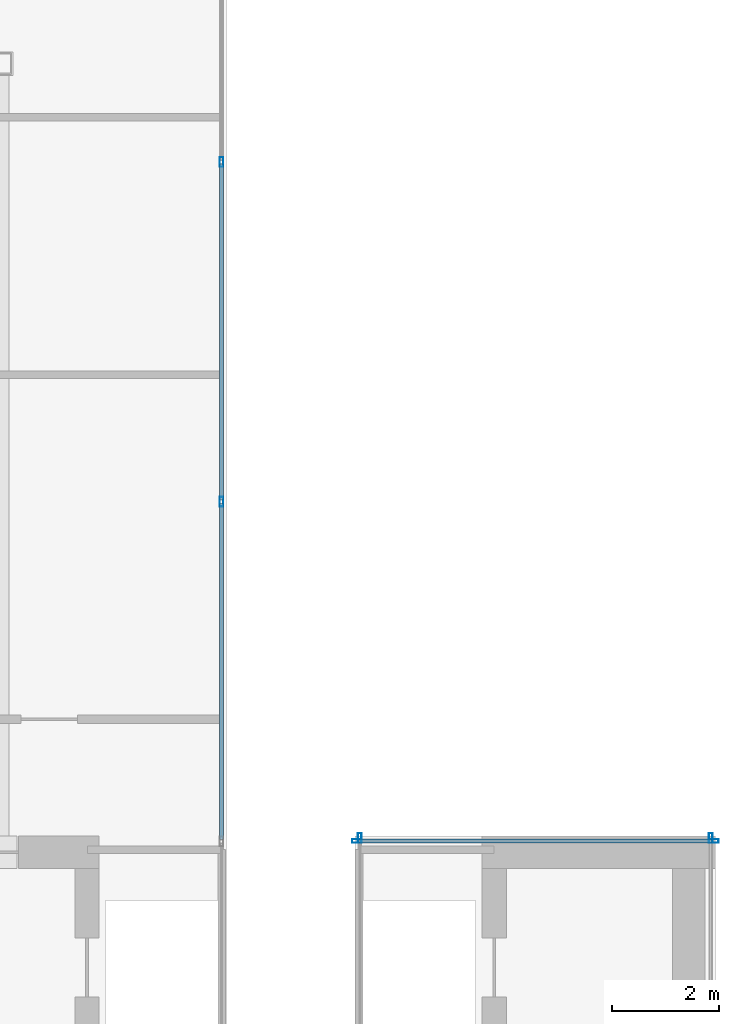
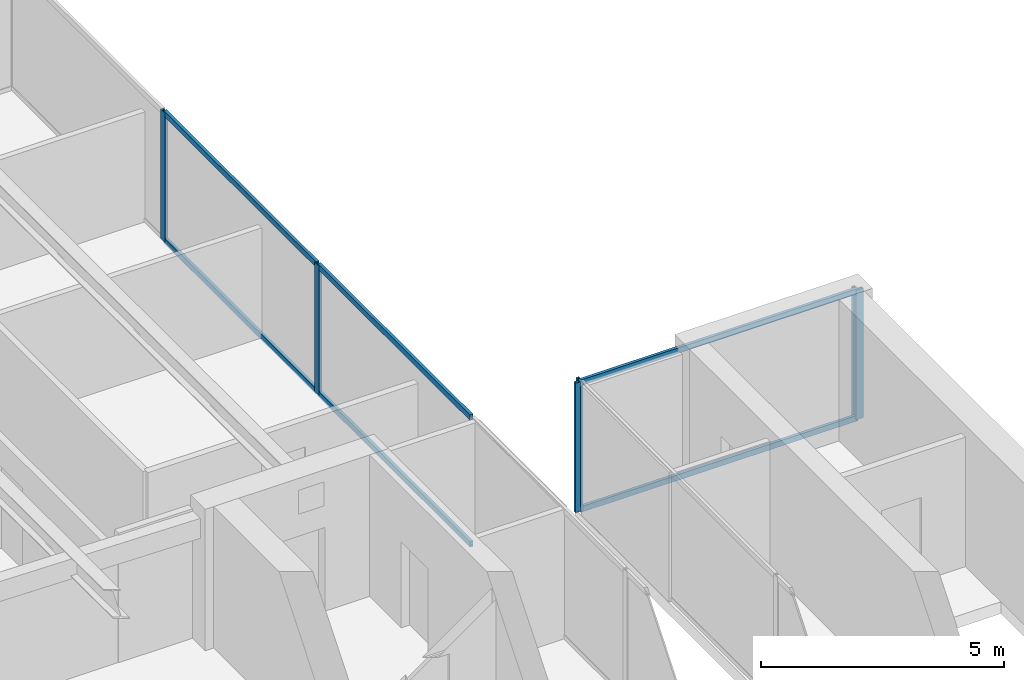
# One storey, part 11 of 16: 12 members, 4 elements without a shape of their own.
"""IFC4 building model written with IfcOpenShell, lengths in metres."""

from ifc_helpers import new_model, si_unit, direction, frame, origin, origin_2d, place, context, subcontext, project, spatial, hollow_rectangle, extrude, source, transform, mapped, material, material_profile, profile_set, type_object, type_shapes, element, aggregate, save


model = new_model("IFC4")

# Units and contexts
model_context = context("Model", 3, precision=1e-05, world=origin(), true_north=direction((0.0, 1.0)))
body_context = subcontext(model_context, "Body", "Model", "MODEL_VIEW")
ifc_project = project(units=[si_unit("LENGTHUNIT", "METRE"), si_unit("AREAUNIT", "SQUARE_METRE"), si_unit("VOLUMEUNIT", "CUBIC_METRE"), si_unit("PLANEANGLEUNIT", "RADIAN"), si_unit("MASSUNIT", "GRAM", prefix="KILO")], contexts=[model_context])

# Site, building, storey
site_placement = place(None, origin())
site = spatial("IfcSite", under=ifc_project, at=site_placement, CompositionType="ELEMENT")
building_placement = place(site_placement, origin())
building = spatial("IfcBuilding", under=site, at=building_placement, Name="Krantzveldt Concourse Tower", CompositionType="ELEMENT")
storey_placement = place(building_placement, frame((0.0, 0.0, 385.449951171875)))
storey = spatial("IfcBuildingStorey", under=building, at=storey_placement, Name="L95", CompositionType="ELEMENT", Elevation=385.449951171875)

# Curtain wall, members
ifc_material = material(Name="Anodised aluminium 6063-T6", Category="aluminium")
curtain_wall_type = type_object("IfcCurtainWallType", Name="CW7", PredefinedType="USERDEFINED", material=ifc_material)
curtain_wall_1_placement = place(storey_placement, origin())
curtain_wall_1 = element("IfcCurtainWall", 1, at=curtain_wall_1_placement, inside=storey, type_object=curtain_wall_type, Name="CW-L95-WEST-01", ObjectType="UNITISED CURTAIN WALL", PredefinedType="USERDEFINED")
ifc_material_profile_1 = material_profile(ifc_material, hollow_rectangle(XDim=0.070068359375, YDim=0.139892578125, WallThickness=0.0048828125, at=origin_2d()), Name="Anodised aluminium 6063-T6", Category="aluminium")
ifc_profile_set_1 = profile_set([ifc_material_profile_1], Name="Anodised aluminium 6063-T6 - ALU-TRAN 140x70x5")
member_type_1 = type_object("IfcMemberType", Name="CW-TRN-150", PredefinedType="USERDEFINED", material=ifc_profile_set_1)
shared_shape_1 = source(origin(), body_context, "Body", "SweptSolid", [
    extrude(hollow_rectangle(XDim=0.070068359375, YDim=0.139892578125, WallThickness=0.0048828125, at=origin_2d()), origin(), (0.0, 0.0, 1.0), 6.263427734375),
])
member_1_placement = place(storey_placement, frame((34.7099609375, 33.068359375, 0.03515625), z_axis=(0.0, 1.0, 0.0), x_axis=(-1.0, 0.0, 0.0)))
member_1 = element("IfcMember", 2, at=member_1_placement, type_object=member_type_1, Name="CW-CRN transom 5.1", ObjectType="TRANSOM", PredefinedType="USERDEFINED", context=body_context, shape_type="MappedRepresentation", body=[
    mapped(shared_shape_1, transform((0.0, 0.0, 0.0), x_axis=(1.0, 0.0, 0.0), y_axis=(0.0, 1.0, 0.0), z_axis=(0.0, 0.0, 1.0), scale=1.0)),
])
member_2_placement = place(storey_placement, frame((34.7099609375, 33.068359375, 3.215087890625), z_axis=(0.0, 1.0, 0.0), x_axis=(-1.0, 0.0, 0.0)))
member_2 = element("IfcMember", 3, at=member_2_placement, type_object=member_type_1, Name="CW-CRN transom 5.2", ObjectType="TRANSOM", PredefinedType="USERDEFINED", context=body_context, shape_type="MappedRepresentation", body=[
    mapped(shared_shape_1, transform((0.0, 0.0, 0.0), x_axis=(1.0, 0.0, 0.0), y_axis=(0.0, 1.0, 0.0), z_axis=(0.0, 0.0, 1.0), scale=1.0)),
])
shared_shape_2 = source(origin(), body_context, "Body", "SweptSolid", [
    extrude(hollow_rectangle(XDim=0.070068359375, YDim=0.139892578125, WallThickness=0.0048828125, at=origin_2d()), origin(), (0.0, 0.0, 1.0), 6.26318359375),
])
member_3_placement = place(storey_placement, frame((34.7099609375, 26.735107421875, 0.03515625), z_axis=(0.0, 1.0, 0.0), x_axis=(-1.0, 0.0, 0.0)))
member_3 = element("IfcMember", 4, at=member_3_placement, type_object=member_type_1, Name="CW-CRN transom 4.1", ObjectType="TRANSOM", PredefinedType="USERDEFINED", context=body_context, shape_type="MappedRepresentation", body=[
    mapped(shared_shape_2, transform((0.0, 0.0, 0.0), x_axis=(1.0, 0.0, 0.0), y_axis=(0.0, 1.0, 0.0), z_axis=(0.0, 0.0, 1.0), scale=1.0)),
])
member_4_placement = place(storey_placement, frame((34.7099609375, 26.735107421875, 3.215087890625), z_axis=(0.0, 1.0, 0.0), x_axis=(-1.0, 0.0, 0.0)))
member_4 = element("IfcMember", 5, at=member_4_placement, type_object=member_type_1, Name="CW-CRN transom 4.2", ObjectType="TRANSOM", PredefinedType="USERDEFINED", context=body_context, shape_type="MappedRepresentation", body=[
    mapped(shared_shape_2, transform((0.0, 0.0, 0.0), x_axis=(1.0, 0.0, 0.0), y_axis=(0.0, 1.0, 0.0), z_axis=(0.0, 0.0, 1.0), scale=1.0)),
])

curtain_wall_2_placement = place(storey_placement, origin())
curtain_wall_2 = element("IfcCurtainWall", 6, at=curtain_wall_2_placement, inside=storey, type_object=curtain_wall_type, Name="CW-L95-EAST-02", ObjectType="UNITISED CURTAIN WALL", PredefinedType="USERDEFINED")
shared_shape_3 = source(origin(), body_context, "Body", "SweptSolid", [
    extrude(hollow_rectangle(XDim=0.070068359375, YDim=0.139892578125, WallThickness=0.0048828125, at=origin_2d()), origin(), (0.0, 0.0, 1.0), 6.580078125),
])
type_shapes(member_type_1, [shared_shape_1, shared_shape_2, shared_shape_3])
member_5_placement = place(storey_placement, frame((43.85009765625, 26.7099609375, 0.03515625), z_axis=(-1.0, 0.0, 0.0), x_axis=(0.0, -1.0, 0.0)))
member_5 = element("IfcMember", 7, at=member_5_placement, type_object=member_type_1, Name="CW-CRN transom 1.1", ObjectType="TRANSOM", PredefinedType="USERDEFINED", context=body_context, shape_type="MappedRepresentation", body=[
    mapped(shared_shape_3, transform((0.0, 0.0, 0.0), x_axis=(1.0, 0.0, 0.0), y_axis=(0.0, 1.0, 0.0), z_axis=(0.0, 0.0, 1.0), scale=1.0)),
])
member_6_placement = place(storey_placement, frame((43.85009765625, 26.7099609375, 3.215087890625), z_axis=(-1.0, 0.0, 0.0), x_axis=(0.0, -1.0, 0.0)))
member_6 = element("IfcMember", 8, at=member_6_placement, type_object=member_type_1, Name="CW-CRN transom 1.2", ObjectType="TRANSOM", PredefinedType="USERDEFINED", context=body_context, shape_type="MappedRepresentation", body=[
    mapped(shared_shape_3, transform((0.0, 0.0, 0.0), x_axis=(1.0, 0.0, 0.0), y_axis=(0.0, 1.0, 0.0), z_axis=(0.0, 0.0, 1.0), scale=1.0)),
])

# Member
ifc_material_profile_2 = material_profile(ifc_material, hollow_rectangle(XDim=0.070068359375, YDim=0.179931640625, WallThickness=0.0048828125, at=origin_2d()), Name="Anodised aluminium 6063-T6", Category="aluminium")
ifc_profile_set_2 = profile_set([ifc_material_profile_2], Name="Anodised aluminium 6063-T6 - ALU-MULL 180x70x5")
member_type_2 = type_object("IfcMemberType", Name="CW-MUL-180", PredefinedType="MULLION", material=ifc_profile_set_2)
shared_shape_4 = source(origin(), body_context, "Body", "SweptSolid", [
    extrude(hollow_rectangle(XDim=0.070068359375, YDim=0.179931640625, WallThickness=0.0048828125, at=origin_2d()), origin(), (0.0, 0.0, 1.0), 3.25),
])
type_shapes(member_type_2, [shared_shape_4])
member_7_placement = place(storey_placement, frame((34.7099609375, 33.033447265625, 0.0), z_axis=(0.0, 0.0, 1.0), x_axis=(-1.0, 0.0, 0.0)))
member_7 = element("IfcMember", 9, at=member_7_placement, type_object=member_type_2, Name="CW-CRN mullion 5", PredefinedType="MULLION", context=body_context, shape_type="MappedRepresentation", body=[
    mapped(shared_shape_4, transform((0.0, 0.0, 0.0), x_axis=(1.0, 0.0, 0.0), y_axis=(0.0, 1.0, 0.0), z_axis=(0.0, 0.0, 1.0), scale=1.0)),
])

member_8_placement = place(storey_placement, frame((34.7099609375, 39.36669921875, 0.0), z_axis=(0.0, 0.0, 1.0), x_axis=(-1.0, 0.0, 0.0)))
member_8 = element("IfcMember", 10, at=member_8_placement, type_object=member_type_2, Name="CW-CRN mullion 6", PredefinedType="MULLION", context=body_context, shape_type="MappedRepresentation", body=[
    mapped(shared_shape_4, transform((0.0, 0.0, 0.0), x_axis=(1.0, 0.0, 0.0), y_axis=(0.0, 1.0, 0.0), z_axis=(0.0, 0.0, 1.0), scale=1.0)),
])

aggregate(curtain_wall_1, [member_7, member_8, member_3, member_4, member_1, member_2])

# Curtain wall, member
curtain_wall_3_placement = place(storey_placement, origin())
curtain_wall_3 = element("IfcCurtainWall", 11, at=curtain_wall_3_placement, inside=storey, type_object=curtain_wall_type, Name="CW-L95-EAST-01", ObjectType="UNITISED CURTAIN WALL", PredefinedType="USERDEFINED")
member_9_placement = place(storey_placement, frame((43.830078125, 26.764892578125, 0.0), z_axis=(0.0, 0.0, 1.0), x_axis=(-1.0, 0.0, 0.0)))
member_9 = element("IfcMember", 12, at=member_9_placement, type_object=member_type_2, Name="CW-CRN mullion 3", PredefinedType="MULLION", context=body_context, shape_type="MappedRepresentation", body=[
    mapped(shared_shape_4, transform((0.0, 0.0, 0.0), x_axis=(1.0, 0.0, 0.0), y_axis=(0.0, 1.0, 0.0), z_axis=(0.0, 0.0, 1.0), scale=1.0)),
])
aggregate(curtain_wall_3, [member_9])

# Member
member_10_placement = place(storey_placement, frame((43.885009765625, 26.7099609375, 0.0), z_axis=(0.0, 0.0, 1.0), x_axis=(0.0, -1.0, 0.0)))
member_10 = element("IfcMember", 13, at=member_10_placement, type_object=member_type_2, Name="CW-CRN mullion 1", PredefinedType="MULLION", context=body_context, shape_type="MappedRepresentation", body=[
    mapped(shared_shape_4, transform((0.0, 0.0, 0.0), x_axis=(1.0, 0.0, 0.0), y_axis=(0.0, 1.0, 0.0), z_axis=(0.0, 0.0, 1.0), scale=1.0)),
])

member_11_placement = place(storey_placement, frame((37.235107421875, 26.7099609375, 0.0), z_axis=(0.0, 0.0, 1.0), x_axis=(0.0, -1.0, 0.0)))
member_11 = element("IfcMember", 14, at=member_11_placement, type_object=member_type_2, Name="CW-CRN mullion 2", PredefinedType="MULLION", context=body_context, shape_type="MappedRepresentation", body=[
    mapped(shared_shape_4, transform((0.0, 0.0, 0.0), x_axis=(1.0, 0.0, 0.0), y_axis=(0.0, 1.0, 0.0), z_axis=(0.0, 0.0, 1.0), scale=1.0)),
])

aggregate(curtain_wall_2, [member_10, member_11, member_5, member_6])

# Curtain wall, member
curtain_wall_4_placement = place(storey_placement, origin())
curtain_wall_4 = element("IfcCurtainWall", 15, at=curtain_wall_4_placement, inside=storey, type_object=curtain_wall_type, Name="CW-L95-EAST-03", ObjectType="UNITISED CURTAIN WALL", PredefinedType="USERDEFINED")
member_12_placement = place(storey_placement, frame((37.2900390625, 26.764892578125, 0.0), z_axis=(0.0, 0.0, 1.0), x_axis=(1.0, 0.0, 0.0)))
member_12 = element("IfcMember", 16, at=member_12_placement, type_object=member_type_2, Name="CW-CRN mullion 1", PredefinedType="MULLION", context=body_context, shape_type="MappedRepresentation", body=[
    mapped(shared_shape_4, transform((0.0, 0.0, 0.0), x_axis=(1.0, 0.0, 0.0), y_axis=(0.0, 1.0, 0.0), z_axis=(0.0, 0.0, 1.0), scale=1.0)),
])
aggregate(curtain_wall_4, [member_12])

save(model, "model.ifc")
